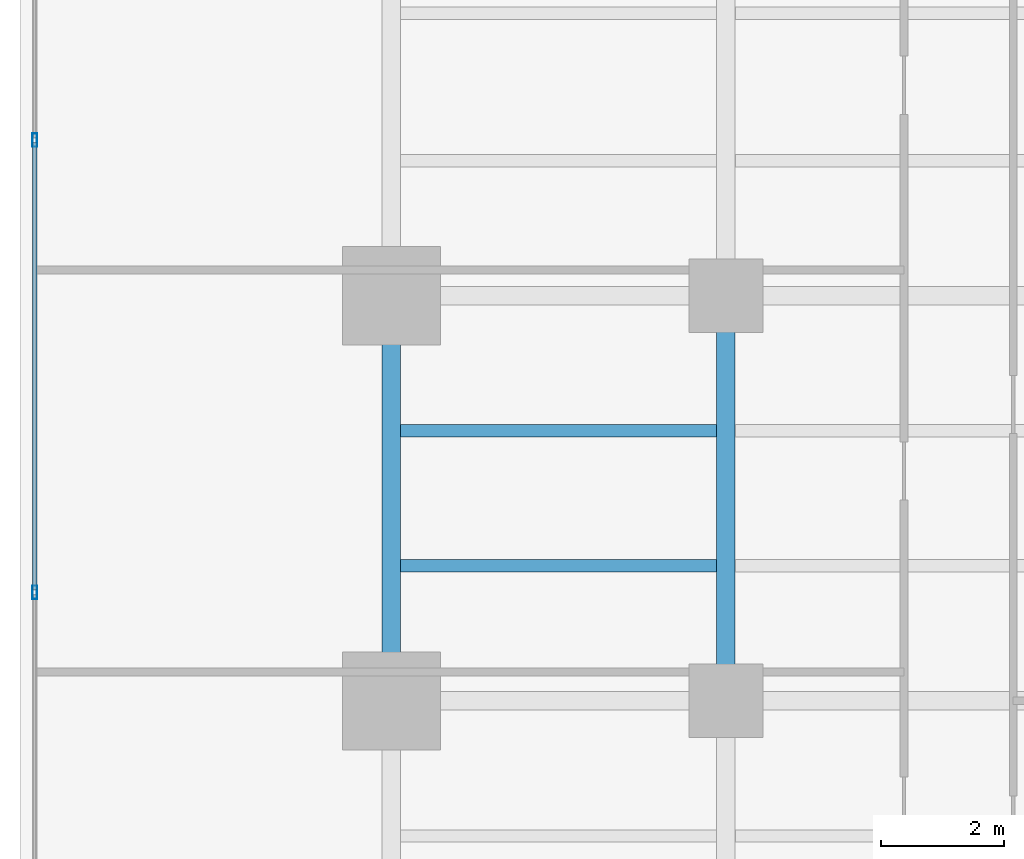
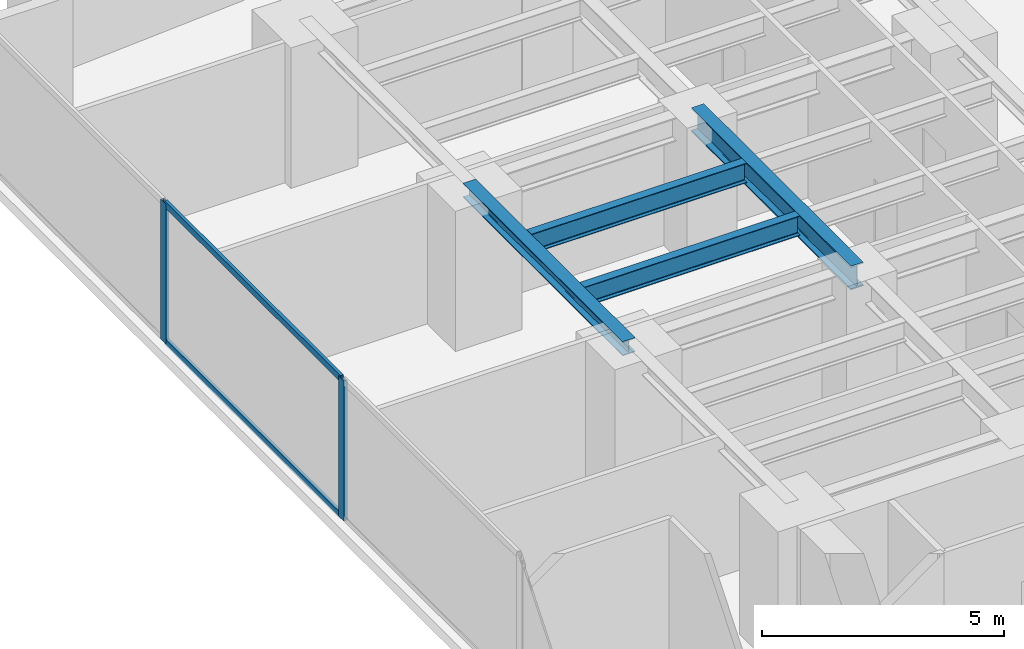
# One storey, part 15 of 27: 4 beams, 4 members, 1 element without a shape of its own.
"""IFC4 building model written with IfcOpenShell, lengths in metres."""

from ifc_helpers import new_model, si_unit, direction, frame, origin, origin_with_axes, origin_2d, place, context, subcontext, project, spatial, hollow_rectangle, i_section, extrude, source, transform, mapped, material, layer, layer_set, material_profile, profile_set, type_object, element, aggregate, save


model = new_model("IFC4")

# Units and contexts
model_context = context("Model", 3, precision=1e-05, world=origin(), true_north=direction((0.0, 1.0)))
body_context = subcontext(model_context, "Body", "Model", "MODEL_VIEW")
ifc_project = project(units=[si_unit("LENGTHUNIT", "METRE"), si_unit("AREAUNIT", "SQUARE_METRE"), si_unit("VOLUMEUNIT", "CUBIC_METRE"), si_unit("PLANEANGLEUNIT", "RADIAN"), si_unit("MASSUNIT", "GRAM", prefix="KILO")], contexts=[model_context])

# Site, building, storey
site_placement = place(None, origin())
site = spatial("IfcSite", under=ifc_project, at=site_placement, CompositionType="ELEMENT")
building_placement = place(site_placement, origin())
building = spatial("IfcBuilding", under=site, at=building_placement, Name="Kolvaren Waterfront Exchange", CompositionType="ELEMENT")
storey_placement = place(building_placement, frame((0.0, 0.0, 60.0)))
storey = spatial("IfcBuildingStorey", under=building, at=storey_placement, Name="L15", CompositionType="ELEMENT", Elevation=60.0)

# Beams
ifc_material_1 = material(Name="Steel S355", Category="steel")
ifc_material_profile_1 = material_profile(ifc_material_1, i_section(OverallWidth=0.300048828125, OverallDepth=0.360107421875, WebThickness=0.012451171875, FlangeThickness=0.0224609375, FilletRadius=0.027099609375, at=origin_2d()), Name="HEB360")
ifc_profile_set_1 = profile_set([ifc_material_profile_1], Name="Steel S355")
beam_type_1 = type_object("IfcBeamType", Name="STR-BM-HEB360", PredefinedType="SPANDREL", material=ifc_profile_set_1)
beam_1_placement = place(storey_placement, frame((7.449951171875, 31.199951171875, 3.360107421875), z_axis=(0.0, 1.0, 0.0), x_axis=(-1.0, 0.0, 0.0)))
element("IfcBeam", 1, at=beam_1_placement, inside=storey, type_object=beam_type_1, Name="L15 north-arm edge beam 2", PredefinedType="SPANDREL", context=body_context, shape_type="SweptSolid", body=[
    extrude(i_section(OverallWidth=0.300048828125, OverallDepth=0.360107421875, WebThickness=0.012451171875, FlangeThickness=0.0224609375, FilletRadius=0.027099609375, at=origin_2d()), origin(), (0.0, 0.0, 1.0), 6.60009765625),
])
ifc_material_profile_2 = material_profile(ifc_material_1, i_section(OverallWidth=0.300048828125, OverallDepth=0.60009765625, WebThickness=0.015380859375, FlangeThickness=0.030029296875, FilletRadius=0.027099609375, at=origin_2d()), Name="HEB600")
ifc_profile_set_2 = profile_set([ifc_material_profile_2], Name="Steel S355")
beam_type_2 = type_object("IfcBeamType", Name="STR-BM-HEB600", PredefinedType="BEAM", material=ifc_profile_set_2)
beam_2_placement = place(storey_placement, frame((12.89990234375, 31.199951171875, 3.239990234375), z_axis=(0.0, 1.0, 0.0), x_axis=(-1.0, 0.0, 0.0)))
element("IfcBeam", 2, at=beam_2_placement, inside=storey, type_object=beam_type_2, Name="L15 north-arm edge beam 2", PredefinedType="BEAM", context=body_context, shape_type="SweptSolid", body=[
    extrude(i_section(OverallWidth=0.300048828125, OverallDepth=0.60009765625, WebThickness=0.015380859375, FlangeThickness=0.030029296875, FilletRadius=0.027099609375, at=origin_2d()), origin(), (0.0, 0.0, 1.0), 6.60009765625),
])
ifc_material_profile_3 = material_profile(ifc_material_1, i_section(OverallWidth=0.199951171875, OverallDepth=0.5, WebThickness=0.01025390625, FlangeThickness=0.01611328125, FilletRadius=0.02099609375, at=origin_2d()), Name="IPE500")
ifc_profile_set_3 = profile_set([ifc_material_profile_3], Name="Steel S355")
beam_type_3 = type_object("IfcBeamType", Name="STR-BM-IPE500", PredefinedType="JOIST", material=ifc_profile_set_3)
for number, where, z_axis, x_axis, name in (
    (3, (7.60205078125, 33.39990234375, 3.2900390625), (1.0, 0.0, 0.0), (0.0, 1.0, 0.0), "L15 north-arm composite joist 3A"),
    (4, (7.60205078125, 35.60009765625, 3.2900390625), (1.0, 0.0, 0.0), (0.0, 1.0, 0.0), "L15 north-arm composite joist 4A"),
):
    element("IfcBeam", number, at=place(storey_placement, frame(where, z_axis=z_axis, x_axis=x_axis)), inside=storey, type_object=beam_type_3, Name=name, PredefinedType="JOIST", context=body_context, shape_type="SweptSolid", body=[
        extrude(i_section(OverallWidth=0.199951171875, OverallDepth=0.5, WebThickness=0.01025390625, FlangeThickness=0.01611328125, FilletRadius=0.02099609375, at=origin_2d()), origin(), (0.0, 0.0, 1.0), 5.14599609375),
    ])

# Curtain wall, members
ifc_material_2 = material(Name="Anodised aluminium 6063-T6", Category="aluminium")
ifc_layer = layer(ifc_material_2, 0.219970703125, Name="Anodised aluminium 6063-T6")
ifc_layer_set = layer_set([ifc_layer], Name="Anodised aluminium 6063-T6")
curtain_wall_type = type_object("IfcCurtainWallType", Name="ARC-CW-SYS2", PredefinedType="USERDEFINED", material=ifc_layer_set)
curtain_wall_placement = place(storey_placement, origin())
curtain_wall = element("IfcCurtainWall", 5, at=curtain_wall_placement, inside=storey, type_object=curtain_wall_type, Name="L15 stick curtain wall CW2 (CW-L15-W)", ObjectType="STICK CURTAIN WALL", PredefinedType="USERDEFINED")
ifc_material_profile_4 = material_profile(ifc_material_2, hollow_rectangle(XDim=0.074951171875, YDim=0.159912109375, WallThickness=0.00439453125, at=origin_2d()), Name="ALU-TRN-160x75x4.5")
ifc_profile_set_4 = profile_set([ifc_material_profile_4], Name="Anodised aluminium 6063-T6")
member_type_1 = type_object("IfcMemberType", Name="ARC-CWT-160", PredefinedType="USERDEFINED", material=ifc_profile_set_4)
shared_shape_1 = source(origin_with_axes(), body_context, "Body", "SweptSolid", [
    extrude(hollow_rectangle(XDim=0.074951171875, YDim=0.159912109375, WallThickness=0.00439453125, at=origin_2d()), origin(), (0.0, 0.0, 1.0), 7.28662109375),
])
member_1_placement = place(storey_placement, frame((1.639892578125, 33.006591796875, 0.03759765625), z_axis=(0.0, 1.0, 0.0), x_axis=(-1.0, 0.0, 0.0)))
member_1 = element("IfcMember", 6, at=member_1_placement, type_object=member_type_1, Name="CW2 transom 5.1", ObjectType="TRANSOM", PredefinedType="USERDEFINED", context=body_context, shape_type="MappedRepresentation", body=[
    mapped(shared_shape_1, transform((0.0, 0.0, 0.0), x_axis=(1.0, 0.0, 0.0), y_axis=(0.0, 1.0, 0.0), z_axis=(0.0, 0.0, 1.0), scale=1.0)),
])
member_2_placement = place(storey_placement, frame((1.639892578125, 33.006591796875, 3.50244140625), z_axis=(0.0, 1.0, 0.0), x_axis=(-1.0, 0.0, 0.0)))
member_2 = element("IfcMember", 7, at=member_2_placement, type_object=member_type_1, Name="CW2 transom 5.2", ObjectType="TRANSOM", PredefinedType="USERDEFINED", context=body_context, shape_type="MappedRepresentation", body=[
    mapped(shared_shape_1, transform((0.0, 0.0, 0.0), x_axis=(1.0, 0.0, 0.0), y_axis=(0.0, 1.0, 0.0), z_axis=(0.0, 0.0, 1.0), scale=1.0)),
])
ifc_material_profile_5 = material_profile(ifc_material_2, hollow_rectangle(XDim=0.080078125, YDim=0.219970703125, WallThickness=0.0048828125, at=origin_2d()), Name="ALU-MUL-220x80x5")
ifc_profile_set_5 = profile_set([ifc_material_profile_5], Name="Anodised aluminium 6063-T6")
member_type_2 = type_object("IfcMemberType", Name="ARC-CWM-220", PredefinedType="MULLION", material=ifc_profile_set_5)
shared_shape_2 = source(origin_with_axes(), body_context, "Body", "SweptSolid", [
    extrude(hollow_rectangle(XDim=0.080078125, YDim=0.219970703125, WallThickness=0.0048828125, at=origin_2d()), origin(), (0.0, 0.0, 1.0), 3.5400390625),
])
member_3_placement = place(storey_placement, frame((1.639892578125, 32.966552734375, 0.0), z_axis=(0.0, 0.0, 1.0), x_axis=(-1.0, 0.0, 0.0)))
member_3 = element("IfcMember", 8, at=member_3_placement, type_object=member_type_2, Name="CW2 mullion 5", PredefinedType="MULLION", context=body_context, shape_type="MappedRepresentation", body=[
    mapped(shared_shape_2, transform((0.0, 0.0, 0.0), x_axis=(1.0, 0.0, 0.0), y_axis=(0.0, 1.0, 0.0), z_axis=(0.0, 0.0, 1.0), scale=1.0)),
])
member_4_placement = place(storey_placement, frame((1.639892578125, 40.333251953125, 0.0), z_axis=(0.0, 0.0, 1.0), x_axis=(-1.0, 0.0, 0.0)))
member_4 = element("IfcMember", 9, at=member_4_placement, type_object=member_type_2, Name="CW2 mullion 6", PredefinedType="MULLION", context=body_context, shape_type="MappedRepresentation", body=[
    mapped(shared_shape_2, transform((0.0, 0.0, 0.0), x_axis=(1.0, 0.0, 0.0), y_axis=(0.0, 1.0, 0.0), z_axis=(0.0, 0.0, 1.0), scale=1.0)),
])
aggregate(curtain_wall, [member_3, member_4, member_1, member_2])

save(model, "model.ifc")
